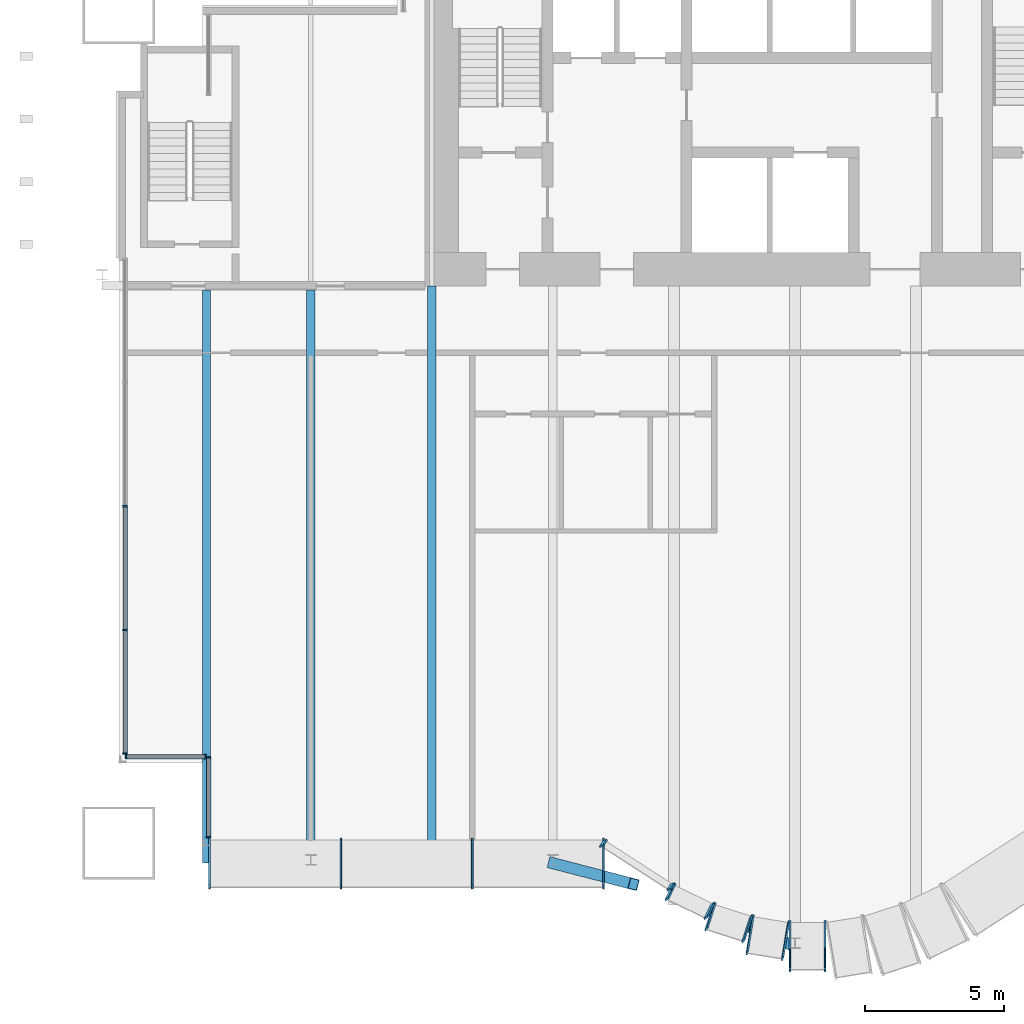
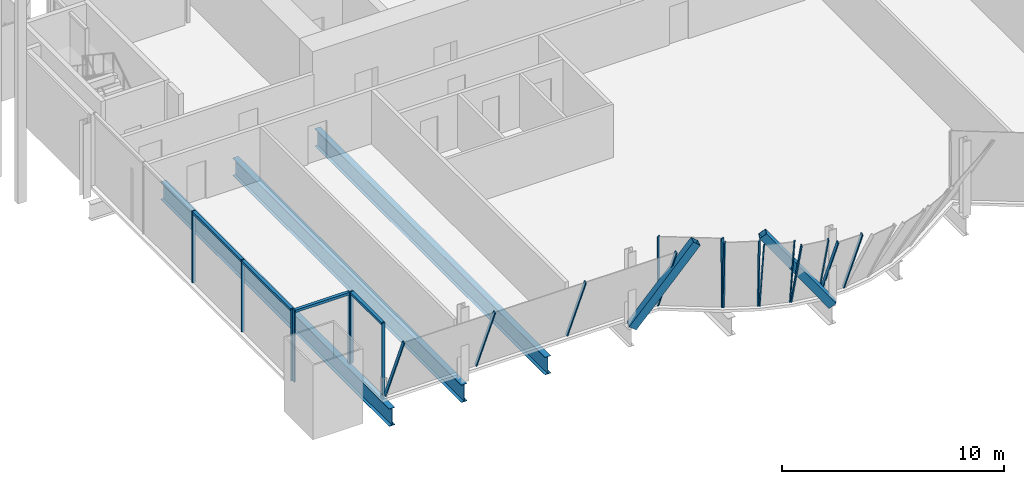
# One storey, part 5 of 33: 27 members, 3 beams, 9 elements without a shape of their own.
"""IFC4 building model written with IfcOpenShell, lengths in metres."""

import ifcopenshell
import ifcopenshell.guid

model = None  # the IFC model being written
_history = None  # IfcOwnerHistory: only IFC2X3 demands one
_inside = {}  # id of a spatial element -> (the spatial element, [elements in it])
_under = {}  # id of a project, library or spatial element -> (it, [spatial elements below it])
_declared = {}  # id of a project -> (the project, [libraries it declares])
_typed = {}  # id of a type object -> (the type object, [elements of that type])
_made_of = {}  # id of a material, layer set ... -> (it, [elements and type objects made of it])


def new_model(schema):
    """Start an empty IFC model of exactly this schema.

    Asked for "IFC4X3", IfcOpenShell would pick the latest addendum, in which some entities
    have other attributes; the version numbers below select the first issue.
    IFC2X3 requires an IfcOwnerHistory on every rooted entity: one is made here for all.
    """
    global model, _history
    if schema == "IFC4X3":
        model = ifcopenshell.file(schema_version=(4, 3, 0, 0))
    else:
        model = ifcopenshell.file(schema=schema)
    _inside.clear()
    _under.clear()
    _declared.clear()
    _typed.clear()
    _made_of.clear()
    _history = None
    if model.schema == "IFC2X3":
        org = make("IfcOrganization", Name="unknown")
        user = make(
            "IfcPersonAndOrganization",
            ThePerson=make("IfcPerson", FamilyName="unknown"),
            TheOrganization=org,
        )
        app = make(
            "IfcApplication",
            ApplicationDeveloper=org,
            Version="unknown",
            ApplicationFullName="unknown",
            ApplicationIdentifier="unknown",
        )
        _history = make(
            "IfcOwnerHistory",
            OwningUser=user,
            OwningApplication=app,
            ChangeAction="ADDED",
            CreationDate=0,
        )
    return model


def make(cls, **values):
    """One entity of the class cls with the attributes given. An attribute that is None is left unset."""
    return model.create_entity(
        cls, **{name: value for name, value in values.items() if value is not None}
    )


def rooted(cls, **values):
    """An entity with a GlobalId (a new one), such as an element, a storey or a relation."""
    return make(cls, GlobalId=ifcopenshell.guid.new(), OwnerHistory=_history, **values)


def si_unit(unit_type, name, prefix=None):
    """IfcSIUnit, for example si_unit("LENGTHUNIT", "METRE", prefix="MILLI")."""
    return make("IfcSIUnit", UnitType=unit_type, Prefix=prefix, Name=name)


def assignment(units):
    """IfcUnitAssignment: the units of a project."""
    return None if units is None else make("IfcUnitAssignment", Units=units)


def point(xyz):
    """IfcCartesianPoint."""
    return None if xyz is None else make("IfcCartesianPoint", Coordinates=xyz)


def direction(xyz):
    """IfcDirection."""
    return None if xyz is None else make("IfcDirection", DirectionRatios=xyz)


def frame(location, z_axis=None, x_axis=None):
    """IfcAxis2Placement3D, a coordinate frame: its origin and axes. An axis left out is left unset."""
    return make(
        "IfcAxis2Placement3D",
        Location=point(location),
        Axis=direction(z_axis),
        RefDirection=direction(x_axis),
    )


def frame_2d(location, x_axis=None):
    """IfcAxis2Placement2D, a coordinate frame in the plane: its origin and x axis."""
    return make(
        "IfcAxis2Placement2D", Location=point(location), RefDirection=direction(x_axis)
    )


def origin():
    """The frame at (0, 0, 0) with its axes left unset."""
    return frame((0.0, 0.0, 0.0))


def origin_2d():
    """The frame at (0, 0) in the plane with its x axis left unset."""
    return frame_2d((0.0, 0.0))


def place(relative_to, where):
    """IfcLocalPlacement: puts the frame where relative to a parent placement (None: the world)."""
    return make(
        "IfcLocalPlacement", PlacementRelTo=relative_to, RelativePlacement=where
    )


def context(
    kind, dimensions, precision=None, world=None, true_north=None, identifier=None
):
    """IfcGeometricRepresentationContext, for example the 3D "Model" context."""
    return make(
        "IfcGeometricRepresentationContext",
        ContextIdentifier=identifier,
        ContextType=kind,
        CoordinateSpaceDimension=dimensions,
        Precision=precision,
        WorldCoordinateSystem=world,
        TrueNorth=true_north,
    )


def subcontext(parent, identifier, kind, view, scale=None):
    """IfcGeometricRepresentationSubContext, for example "Body" below "Model"."""
    return make(
        "IfcGeometricRepresentationSubContext",
        ContextIdentifier=identifier,
        ContextType=kind,
        ParentContext=parent,
        TargetScale=scale,
        TargetView=view,
    )


def project(units=None, contexts=None):
    """IfcProject with its units and contexts."""
    return rooted(
        "IfcProject",
        Name="project",
        RepresentationContexts=contexts,
        UnitsInContext=assignment(units),
    )


def spatial(cls, under=None, at=None, **own):
    """A site, building, storey or space (cls), placed at a placement, below another one or the project."""
    s = rooted(cls, ObjectPlacement=at, **own)
    if under is not None:
        _under.setdefault(under.id(), (under, []))[1].append(s)
    return s


def profile(cls, at=None, kind="AREA", **sizes):
    """A parametric profile (cls). Its sizes go by their IFC names, for example OverallWidth=200.0."""
    return make(cls, ProfileType=kind, Position=at, **sizes)


def rectangle(**sizes):
    """IfcRectangleProfileDef."""
    return profile("IfcRectangleProfileDef", **sizes)


def hollow_rectangle(**sizes):
    """IfcRectangleHollowProfileDef."""
    return profile("IfcRectangleHollowProfileDef", **sizes)


def i_section(**sizes):
    """IfcIShapeProfileDef."""
    return profile("IfcIShapeProfileDef", **sizes)


def extrude(swept, where, along, depth):
    """IfcExtrudedAreaSolid: the profile swept, set in the frame where, extruded along a direction by depth."""
    return make(
        "IfcExtrudedAreaSolid",
        SweptArea=swept,
        Position=where,
        ExtrudedDirection=direction(along),
        Depth=depth,
    )


def shape(context_of_items, identifier, shape_type, items):
    """IfcShapeRepresentation: the items that make up one representation, for example the "Body"."""
    return make(
        "IfcShapeRepresentation",
        ContextOfItems=context_of_items,
        RepresentationIdentifier=identifier,
        RepresentationType=shape_type,
        Items=items,
    )


def material(Name=None, Category=None):
    """IfcMaterial."""
    return make("IfcMaterial", Name=Name, Category=Category)


def material_profile(
    of_material, cross_section, Name=None, Category=None, Priority=None
):
    """IfcMaterialProfile: a cross section and its material."""
    return make(
        "IfcMaterialProfile",
        Name=Name,
        Material=of_material,
        Profile=cross_section,
        Priority=Priority,
        Category=Category,
    )


def profile_set(profiles, Name=None, composite=None):
    """IfcMaterialProfileSet."""
    return make(
        "IfcMaterialProfileSet",
        Name=Name,
        MaterialProfiles=profiles,
        CompositeProfile=composite,
    )


def made_of(thing, what):
    """Note that an element or type object is made of a material, layer set ...; save() writes the relation."""
    if what is not None:
        _made_of.setdefault(what.id(), (what, []))[1].append(thing)
    return thing


def type_object(cls, material=None, **own):
    """A type object (cls), such as IfcWallType, which elements share."""
    return made_of(rooted(cls, **own), material)


def element(
    cls,
    number,
    at=None,
    inside=None,
    cuts=None,
    type_object=None,
    material=None,
    context=None,
    identifier="Body",
    shape_type=None,
    held_by="IfcProductDefinitionShape",
    body=None,
    shapes=None,
    **own,
):
    """One element of the class cls, such as IfcWall. Its Tag is "e" and its number.

    at: its placement. inside: the storey or other place that contains it. cuts: it is an
    opening in that element (IfcRelVoidsElement). A single representation is given by context,
    identifier, shape_type and body (its items); several are given by shapes. held_by: the class
    of the entity that holds the representations. save() writes the other relations.
    """
    e = rooted(cls, Tag="e%d" % number, ObjectPlacement=at, **own)
    if body is not None:
        shapes = [shape(context, identifier, shape_type, body)]
    if shapes is not None:
        e.Representation = make(held_by, Representations=shapes)
    if inside is not None:
        _inside.setdefault(inside.id(), (inside, []))[1].append(e)
    if cuts is not None:
        rooted(
            "IfcRelVoidsElement", RelatingBuildingElement=cuts, RelatedOpeningElement=e
        )
    if type_object is not None:
        _typed.setdefault(type_object.id(), (type_object, []))[1].append(e)
    return made_of(e, material)


def aggregate(whole, parts):
    """IfcRelAggregates: a whole, such as a stair, and the parts it consists of."""
    return rooted("IfcRelAggregates", RelatingObject=whole, RelatedObjects=parts)


def save(model, path):
    """Write the relations noted so far, then the file.

    IfcRelAggregates (storeys below a building ...), IfcRelContainedInSpatialStructure (elements
    in a storey), IfcRelDefinesByType, IfcRelAssociatesMaterial and IfcRelDeclares: one each for
    every whole, place, type object, material and project.
    """
    for whole, parts in _under.values():
        aggregate(whole, parts)
    for where, things in _inside.values():
        rooted(
            "IfcRelContainedInSpatialStructure",
            RelatedElements=things,
            RelatingStructure=where,
        )
    for kind, things in _typed.values():
        rooted("IfcRelDefinesByType", RelatedObjects=things, RelatingType=kind)
    for what, things in _made_of.values():
        rooted("IfcRelAssociatesMaterial", RelatedObjects=things, RelatingMaterial=what)
    for by, libraries in _declared.values():
        rooted("IfcRelDeclares", RelatingContext=by, RelatedDefinitions=libraries)
    model.write(path)


model = new_model("IFC4")

# Units and contexts
model_context = context("Model", 3, precision=1e-05, world=origin(), true_north=direction((0.0, 1.0)))
body_context = subcontext(model_context, "Body", "Model", "MODEL_VIEW")
ifc_project = project(units=[si_unit("LENGTHUNIT", "METRE"), si_unit("AREAUNIT", "SQUARE_METRE"), si_unit("VOLUMEUNIT", "CUBIC_METRE"), si_unit("PLANEANGLEUNIT", "RADIAN"), si_unit("MASSUNIT", "GRAM", prefix="KILO")], contexts=[model_context])

# Site, building, storey
site_placement = place(None, origin())
site = spatial("IfcSite", under=ifc_project, at=site_placement, CompositionType="ELEMENT")
building_placement = place(site_placement, origin())
building = spatial("IfcBuilding", under=site, at=building_placement, Name="Bicima Exchange Tower", CompositionType="ELEMENT")
storey_placement = place(building_placement, frame((0.0, 0.0, 140.39990234375)))
storey = spatial("IfcBuildingStorey", under=building, at=storey_placement, Name="L30", CompositionType="ELEMENT", Elevation=140.39990234375)

# Curtain wall, members
ifc_material_1 = material(Name="Anodised bronze aluminium", Category="aluminium")
curtain_wall_type_1 = type_object("IfcCurtainWallType", Name="End face glass wall", PredefinedType="NOTDEFINED", material=ifc_material_1)
curtain_wall_1_placement = place(storey_placement, origin())
curtain_wall_1 = element("IfcCurtainWall", 1, at=curtain_wall_1_placement, inside=storey, type_object=curtain_wall_type_1, Name="End face glass wall L30 run 6", PredefinedType="NOTDEFINED")
ifc_material_profile_1 = material_profile(ifc_material_1, rectangle(XDim=0.159912109375, YDim=0.06005859375, at=origin_2d()))
ifc_profile_set_1 = profile_set([ifc_material_profile_1], Name="Anodised bronze aluminium")
member_type_1 = type_object("IfcMemberType", Name="End face glass wall mullion 60 x 160", PredefinedType="MULLION", material=ifc_profile_set_1)
member_1_placement = place(storey_placement, frame((-32.77001953125, -20.9169921875, 0.0), z_axis=(0.0, 0.0, 1.0), x_axis=(1.0, 0.0, 0.0)))
member_1 = element("IfcMember", 2, at=member_1_placement, type_object=member_type_1, Name="End face glass wall mullion 3", PredefinedType="MULLION", context=body_context, shape_type="SweptSolid", body=[
    extrude(rectangle(XDim=0.159912109375, YDim=0.06005859375, at=origin_2d()), origin(), (0.0, 0.0, 1.0), 3.9501953125),
])
member_2_placement = place(storey_placement, frame((-32.77001953125, -25.360595703125, 0.0), z_axis=(0.0, 0.0, 1.0), x_axis=(1.0, 0.0, 0.0)))
member_2 = element("IfcMember", 3, at=member_2_placement, type_object=member_type_1, Name="End face glass wall mullion 4", PredefinedType="MULLION", context=body_context, shape_type="SweptSolid", body=[
    extrude(rectangle(XDim=0.159912109375, YDim=0.06005859375, at=origin_2d()), origin(), (0.0, 0.0, 1.0), 3.9501953125),
])
member_3_placement = place(storey_placement, frame((-32.77001953125, -29.803955078125, 0.0), z_axis=(0.0, 0.0, 1.0), x_axis=(1.0, 0.0, 0.0)))
member_3 = element("IfcMember", 4, at=member_3_placement, type_object=member_type_1, Name="End face glass wall mullion 5", PredefinedType="MULLION", context=body_context, shape_type="SweptSolid", body=[
    extrude(rectangle(XDim=0.159912109375, YDim=0.06005859375, at=origin_2d()), origin(), (0.0, 0.0, 1.0), 3.9501953125),
])
ifc_material_profile_2 = material_profile(ifc_material_1, rectangle(XDim=0.159912109375, YDim=0.139892578125, at=origin_2d()))
ifc_profile_set_2 = profile_set([ifc_material_profile_2], Name="Anodised bronze aluminium")
member_type_2 = type_object("IfcMemberType", Name="End face glass wall transom 140 x 160", PredefinedType="USERDEFINED", material=ifc_profile_set_2)
member_4_placement = place(storey_placement, frame((-32.77001953125, -20.947021484375, 3.880126953125), z_axis=(0.0, -1.0, 0.0), x_axis=(1.0, 0.0, 0.0)))
member_4 = element("IfcMember", 5, at=member_4_placement, type_object=member_type_2, Name="End face glass wall transom 3.1", ObjectType="TRANSOM", PredefinedType="USERDEFINED", context=body_context, shape_type="SweptSolid", body=[
    extrude(rectangle(XDim=0.159912109375, YDim=0.139892578125, at=origin_2d()), origin(), (0.0, 0.0, 1.0), 4.383544921875),
])
member_5_placement = place(storey_placement, frame((-32.77001953125, -25.390380859375, 3.880126953125), z_axis=(0.0, -1.0, 0.0), x_axis=(1.0, 0.0, 0.0)))
member_5 = element("IfcMember", 6, at=member_5_placement, type_object=member_type_2, Name="End face glass wall transom 4.1", ObjectType="TRANSOM", PredefinedType="USERDEFINED", context=body_context, shape_type="SweptSolid", body=[
    extrude(rectangle(XDim=0.159912109375, YDim=0.139892578125, at=origin_2d()), origin(), (0.0, 0.0, 1.0), 4.383544921875),
])
aggregate(curtain_wall_1, [member_1, member_2, member_3, member_4, member_5])

# Beams
ifc_material_2 = material(Name="Steel ASTM A992 Gr 50", Category="steel")
ifc_material_profile_3 = material_profile(ifc_material_2, i_section(OverallWidth=0.2998046875, OverallDepth=0.97021484375, WebThickness=0.01611328125, FlangeThickness=0.02099609375, at=origin_2d()))
ifc_profile_set_3 = profile_set([ifc_material_profile_3], Name="Steel ASTM A992 Gr 50")
beam_type = type_object("IfcBeamType", Name="Floor beam W40x149", PredefinedType="JOIST", material=ifc_profile_set_3)
for number, where, z_axis, x_axis, name in (
    (7, (-29.85009765625, -13.15234375, -0.635009765625), (0.0, -1.0, 0.0), (1.0, 0.0, 0.0), "Floor beam"),
    (8, (-26.10009765625, -13.15234375, -0.635009765625), (0.0, -1.0, 0.0), (1.0, 0.0, 0.0), "Floor beam"),
):
    element("IfcBeam", number, at=place(storey_placement, frame(where, z_axis=z_axis, x_axis=x_axis)), inside=storey, type_object=beam_type, Name=name, PredefinedType="JOIST", context=body_context, shape_type="SweptSolid", body=[
        extrude(i_section(OverallWidth=0.2998046875, OverallDepth=0.97021484375, WebThickness=0.01611328125, FlangeThickness=0.02099609375, at=origin_2d()), origin(), (0.0, 0.0, 1.0), 20.591552734375),
    ])
beam_placement = place(storey_placement, frame((-21.75, -13.0, -0.635009765625), z_axis=(0.0, -1.0, 0.0), x_axis=(1.0, 0.0, 0.0)))
element("IfcBeam", 9, at=beam_placement, inside=storey, type_object=beam_type, Name="Floor beam", PredefinedType="JOIST", context=body_context, shape_type="SweptSolid", body=[
    extrude(i_section(OverallWidth=0.2998046875, OverallDepth=0.97021484375, WebThickness=0.01611328125, FlangeThickness=0.02099609375, at=origin_2d()), origin(), (0.0, 0.0, 1.0), 20.743896484375),
])

# Curtain wall, members
curtain_wall_type_2 = type_object("IfcCurtainWallType", Name="Front glass wall", PredefinedType="NOTDEFINED", material=ifc_material_1)
curtain_wall_2_placement = place(storey_placement, origin())
curtain_wall_2 = element("IfcCurtainWall", 10, at=curtain_wall_2_placement, inside=storey, type_object=curtain_wall_type_2, Name="Front glass wall L30 run 7", PredefinedType="NOTDEFINED")
member_type_3 = type_object("IfcMemberType", Name="Front glass wall mullion 60 x 160", PredefinedType="MULLION", material=ifc_profile_set_1)
member_6_placement = place(storey_placement, frame((-32.739990234375, -29.9140625, 0.0), z_axis=(0.0, 0.0, 1.0), x_axis=(0.0, 1.0, 0.0)))
member_6 = element("IfcMember", 11, at=member_6_placement, type_object=member_type_3, Name="Front glass wall mullion 1", PredefinedType="MULLION", context=body_context, shape_type="SweptSolid", body=[
    extrude(rectangle(XDim=0.159912109375, YDim=0.06005859375, at=origin_2d()), origin(), (0.0, 0.0, 1.0), 3.9501953125),
])
member_7_placement = place(storey_placement, frame((-29.8798828125, -29.9140625, 0.0), z_axis=(0.0, 0.0, 1.0), x_axis=(0.0, 1.0, 0.0)))
member_7 = element("IfcMember", 12, at=member_7_placement, type_object=member_type_3, Name="Front glass wall mullion 2", PredefinedType="MULLION", context=body_context, shape_type="SweptSolid", body=[
    extrude(rectangle(XDim=0.159912109375, YDim=0.06005859375, at=origin_2d()), origin(), (0.0, 0.0, 1.0), 3.9501953125),
])

curtain_wall_3_placement = place(storey_placement, origin())
curtain_wall_3 = element("IfcCurtainWall", 13, at=curtain_wall_3_placement, inside=storey, type_object=curtain_wall_type_2, Name="Front glass wall L30 run 8", PredefinedType="NOTDEFINED")
member_8_placement = place(storey_placement, frame((-29.77001953125, -29.944091796875, 0.0), z_axis=(0.0, 0.0, 1.0), x_axis=(1.0, 0.0, 0.0)))
member_8 = element("IfcMember", 14, at=member_8_placement, type_object=member_type_3, Name="Front glass wall mullion 1", PredefinedType="MULLION", context=body_context, shape_type="SweptSolid", body=[
    extrude(rectangle(XDim=0.159912109375, YDim=0.06005859375, at=origin_2d()), origin(), (0.0, 0.0, 1.0), 3.9501953125),
])
member_9_placement = place(storey_placement, frame((-29.77001953125, -32.803955078125, 0.0), z_axis=(0.0, 0.0, 1.0), x_axis=(1.0, 0.0, 0.0)))
member_9 = element("IfcMember", 15, at=member_9_placement, type_object=member_type_3, Name="Front glass wall mullion 2", PredefinedType="MULLION", context=body_context, shape_type="SweptSolid", body=[
    extrude(rectangle(XDim=0.159912109375, YDim=0.06005859375, at=origin_2d()), origin(), (0.0, 0.0, 1.0), 3.9501953125),
])

curtain_wall_4_placement = place(storey_placement, origin())
curtain_wall_4 = element("IfcCurtainWall", 16, at=curtain_wall_4_placement, inside=storey, type_object=curtain_wall_type_2, Name="Canted glass wall L30 35.1", PredefinedType="NOTDEFINED")
member_10_placement = place(storey_placement, frame((-29.739990234375, -32.9140625, 0.0), z_axis=(0.0, -0.392560507207, 0.91972618109), x_axis=(0.0, 0.91972618109, 0.392560507207)))
member_10 = element("IfcMember", 17, at=member_10_placement, type_object=member_type_3, Name="Canted glass mullion 1", PredefinedType="MULLION", context=body_context, shape_type="SweptSolid", body=[
    extrude(rectangle(XDim=0.159912109375, YDim=0.06005859375, at=origin_2d()), origin(), (0.0, 0.0, 1.0), 4.294921875),
])
member_11_placement = place(storey_placement, frame((-25.01904296875, -32.9140625, 0.0), z_axis=(0.0, -0.392560507207, 0.91972618109), x_axis=(0.0, 0.91972618109, 0.392560507207)))
member_11 = element("IfcMember", 18, at=member_11_placement, type_object=member_type_3, Name="Canted glass mullion 2", PredefinedType="MULLION", context=body_context, shape_type="SweptSolid", body=[
    extrude(rectangle(XDim=0.159912109375, YDim=0.06005859375, at=origin_2d()), origin(), (0.0, 0.0, 1.0), 4.294921875),
])
member_12_placement = place(storey_placement, frame((-20.2978515625, -32.9140625, 0.0), z_axis=(0.0, -0.392560507207, 0.91972618109), x_axis=(0.0, 0.91972618109, 0.392560507207)))
member_12 = element("IfcMember", 19, at=member_12_placement, type_object=member_type_3, Name="Canted glass mullion 3", PredefinedType="MULLION", context=body_context, shape_type="SweptSolid", body=[
    extrude(rectangle(XDim=0.159912109375, YDim=0.06005859375, at=origin_2d()), origin(), (0.0, 0.0, 1.0), 4.294921875),
])
member_13_placement = place(storey_placement, frame((-15.576904296875, -32.9140625, 0.0), z_axis=(0.0, -0.392560507207, 0.91972618109), x_axis=(0.0, 0.91972618109, 0.392560507207)))
member_13 = element("IfcMember", 20, at=member_13_placement, type_object=member_type_3, Name="Canted glass mullion 4", PredefinedType="MULLION", context=body_context, shape_type="SweptSolid", body=[
    extrude(rectangle(XDim=0.159912109375, YDim=0.06005859375, at=origin_2d()), origin(), (0.0, 0.0, 1.0), 4.294921875),
])
aggregate(curtain_wall_4, [member_10, member_11, member_12, member_13])

curtain_wall_5_placement = place(storey_placement, origin())
curtain_wall_5 = element("IfcCurtainWall", 21, at=curtain_wall_5_placement, inside=storey, type_object=curtain_wall_type_2, Name="Canted glass wall L30 36.1", PredefinedType="NOTDEFINED")
member_14_placement = place(storey_placement, frame((-15.521728515625, -32.930419921875, 0.0), z_axis=(-0.032820058759, -0.050710692293, 0.998173967518), x_axis=(0.911231260738, 0.40875944388, 0.050727768454)))
member_14 = element("IfcMember", 22, at=member_14_placement, type_object=member_type_3, Name="Canted glass mullion 1", PredefinedType="MULLION", context=body_context, shape_type="SweptSolid", body=[
    extrude(rectangle(XDim=0.159912109375, YDim=0.06005859375, at=origin_2d()), origin(), (0.0, 0.0, 1.0), 3.95751953125),
])
member_15_placement = place(storey_placement, frame((-13.1044921875, -34.492919921875, 0.0), z_axis=(-0.032820058759, -0.050710692293, 0.998173967518), x_axis=(0.911231260738, 0.40875944388, 0.050727768454)))
member_15 = element("IfcMember", 23, at=member_15_placement, type_object=member_type_3, Name="Canted glass mullion 2", PredefinedType="MULLION", context=body_context, shape_type="SweptSolid", body=[
    extrude(rectangle(XDim=0.159912109375, YDim=0.06005859375, at=origin_2d()), origin(), (0.0, 0.0, 1.0), 3.95751953125),
])
aggregate(curtain_wall_5, [member_14, member_15])

curtain_wall_6_placement = place(storey_placement, origin())
curtain_wall_6 = element("IfcCurtainWall", 24, at=curtain_wall_6_placement, inside=storey, type_object=curtain_wall_type_2, Name="Canted glass wall L30 37.1", PredefinedType="NOTDEFINED")
member_16_placement = place(storey_placement, frame((-13.052490234375, -34.522216796875, 0.0), z_axis=(-0.062452607082, -0.128819971122, 0.989699493235), x_axis=(0.781051508244, 0.611035322991, 0.128819158228)))
member_16 = element("IfcMember", 25, at=member_16_placement, type_object=member_type_3, Name="Canted glass mullion 1", PredefinedType="MULLION", context=body_context, shape_type="SweptSolid", body=[
    extrude(rectangle(XDim=0.159912109375, YDim=0.06005859375, at=origin_2d()), origin(), (0.0, 0.0, 1.0), 3.9912109375),
])
member_17_placement = place(storey_placement, frame((-11.6533203125, -35.20068359375, 0.0), z_axis=(-0.062452607082, -0.128819971122, 0.989699493235), x_axis=(0.781051508244, 0.611035322991, 0.128819158228)))
member_17 = element("IfcMember", 26, at=member_17_placement, type_object=member_type_3, Name="Canted glass mullion 2", PredefinedType="MULLION", context=body_context, shape_type="SweptSolid", body=[
    extrude(rectangle(XDim=0.159912109375, YDim=0.06005859375, at=origin_2d()), origin(), (0.0, 0.0, 1.0), 3.9912109375),
])
aggregate(curtain_wall_6, [member_16, member_17])

curtain_wall_7_placement = place(storey_placement, origin())
curtain_wall_7 = element("IfcCurtainWall", 27, at=curtain_wall_7_placement, inside=storey, type_object=curtain_wall_type_2, Name="Canted glass wall L30 38.1", PredefinedType="NOTDEFINED")
member_18_placement = place(storey_placement, frame((-11.59765625, -35.222900390625, 0.0), z_axis=(-0.071018549868, -0.219730551413, 0.972972173472), x_axis=(0.577402534066, 0.786337207926, 0.219727351699)))
member_18 = element("IfcMember", 28, at=member_18_placement, type_object=member_type_3, Name="Canted glass mullion 1", PredefinedType="MULLION", context=body_context, shape_type="SweptSolid", body=[
    extrude(rectangle(XDim=0.159912109375, YDim=0.06005859375, at=origin_2d()), origin(), (0.0, 0.0, 1.0), 4.059814453125),
])
member_19_placement = place(storey_placement, frame((-10.269775390625, -35.652099609375, 0.0), z_axis=(-0.071018549868, -0.219730551413, 0.972972173472), x_axis=(0.577402534066, 0.786337207926, 0.219727351699)))
member_19 = element("IfcMember", 29, at=member_19_placement, type_object=member_type_3, Name="Canted glass mullion 2", PredefinedType="MULLION", context=body_context, shape_type="SweptSolid", body=[
    extrude(rectangle(XDim=0.159912109375, YDim=0.06005859375, at=origin_2d()), origin(), (0.0, 0.0, 1.0), 4.059814453125),
])
aggregate(curtain_wall_7, [member_18, member_19])

curtain_wall_8_placement = place(storey_placement, origin())
curtain_wall_8 = element("IfcCurtainWall", 30, at=curtain_wall_8_placement, inside=storey, type_object=curtain_wall_type_2, Name="Canted glass wall L30 39.1", PredefinedType="NOTDEFINED")
member_20_placement = place(storey_placement, frame((-10.211669921875, -35.666259765625, 0.0), z_axis=(-0.050535241989, -0.312532917682, 0.948561734777), x_axis=(0.306995075409, 0.89893019655, 0.312535638616)))
member_20 = element("IfcMember", 31, at=member_20_placement, type_object=member_type_3, Name="Canted glass mullion 1", PredefinedType="MULLION", context=body_context, shape_type="SweptSolid", body=[
    extrude(rectangle(XDim=0.159912109375, YDim=0.06005859375, at=origin_2d()), origin(), (0.0, 0.0, 1.0), 4.164306640625),
])
member_21_placement = place(storey_placement, frame((-8.93701171875, -35.872314453125, 0.0), z_axis=(-0.050535241989, -0.312532917682, 0.948561734777), x_axis=(0.306995075409, 0.89893019655, 0.312535638616)))
member_21 = element("IfcMember", 32, at=member_21_placement, type_object=member_type_3, Name="Canted glass mullion 2", PredefinedType="MULLION", context=body_context, shape_type="SweptSolid", body=[
    extrude(rectangle(XDim=0.159912109375, YDim=0.06005859375, at=origin_2d()), origin(), (0.0, 0.0, 1.0), 4.164306640625),
])
aggregate(curtain_wall_8, [member_20, member_21])

curtain_wall_9_placement = place(storey_placement, origin())
curtain_wall_9 = element("IfcCurtainWall", 33, at=curtain_wall_9_placement, inside=storey, type_object=curtain_wall_type_2, Name="Canted glass wall L30 40.1", PredefinedType="NOTDEFINED")
member_22_placement = place(storey_placement, frame((-8.87744140625, -35.876953125, 0.0), z_axis=(0.0, -0.392560507207, 0.91972618109), x_axis=(0.0, 0.91972618109, 0.392560507207)))
member_22 = element("IfcMember", 34, at=member_22_placement, type_object=member_type_3, Name="Canted glass mullion 1", PredefinedType="MULLION", context=body_context, shape_type="SweptSolid", body=[
    extrude(rectangle(XDim=0.159912109375, YDim=0.06005859375, at=origin_2d()), origin(), (0.0, 0.0, 1.0), 4.294921875),
])
member_23_placement = place(storey_placement, frame((-7.62255859375, -35.876953125, 0.0), z_axis=(0.0, -0.392560507207, 0.91972618109), x_axis=(0.0, 0.91972618109, 0.392560507207)))
member_23 = element("IfcMember", 35, at=member_23_placement, type_object=member_type_3, Name="Canted glass mullion 2", PredefinedType="MULLION", context=body_context, shape_type="SweptSolid", body=[
    extrude(rectangle(XDim=0.159912109375, YDim=0.06005859375, at=origin_2d()), origin(), (0.0, 0.0, 1.0), 4.294921875),
])
aggregate(curtain_wall_9, [member_22, member_23])

# Member
member_type_4 = type_object("IfcMemberType", Name="Front glass wall transom 140 x 160", PredefinedType="USERDEFINED", material=ifc_profile_set_2)
member_24_placement = place(storey_placement, frame((-32.7099609375, -29.9140625, 3.880126953125), z_axis=(1.0, 0.0, 0.0), x_axis=(0.0, 1.0, 0.0)))
member_24 = element("IfcMember", 36, at=member_24_placement, type_object=member_type_4, Name="Front glass wall transom 1.1", ObjectType="TRANSOM", PredefinedType="USERDEFINED", context=body_context, shape_type="SweptSolid", body=[
    extrude(rectangle(XDim=0.159912109375, YDim=0.139892578125, at=origin_2d()), origin(), (0.0, 0.0, 1.0), 2.800048828125),
])

aggregate(curtain_wall_2, [member_6, member_7, member_24])

member_25_placement = place(storey_placement, frame((-29.77001953125, -29.97412109375, 3.880126953125), z_axis=(0.0, -1.0, 0.0), x_axis=(1.0, 0.0, 0.0)))
member_25 = element("IfcMember", 37, at=member_25_placement, type_object=member_type_4, Name="Front glass wall transom 1.1", ObjectType="TRANSOM", PredefinedType="USERDEFINED", context=body_context, shape_type="SweptSolid", body=[
    extrude(rectangle(XDim=0.159912109375, YDim=0.139892578125, at=origin_2d()), origin(), (0.0, 0.0, 1.0), 2.7998046875),
])

aggregate(curtain_wall_3, [member_8, member_9, member_25])

# Members
ifc_material_3 = material(Name="Steel ASTM A572 Gr 50", Category="steel")
ifc_material_profile_4 = material_profile(ifc_material_3, hollow_rectangle(XDim=0.406494140625, YDim=0.406494140625, WallThickness=0.017822265625, at=origin_2d()))
ifc_profile_set_4 = profile_set([ifc_material_profile_4], Name="Steel ASTM A572 Gr 50")
member_type_5 = type_object("IfcMemberType", Name="Mega brace HSS16x16x3/4", PredefinedType="BRACE", material=ifc_profile_set_4)
member_26_placement = place(storey_placement, frame((-17.39990234375, -33.743896484375, 0.0), z_axis=(0.571056012695, -0.148316871457, 0.807401471392), x_axis=(0.251383493766, 0.9678875653, 0.0)))
element("IfcMember", 38, at=member_26_placement, inside=storey, type_object=member_type_5, Name="Mega brace front", PredefinedType="BRACE", context=body_context, shape_type="SweptSolid", body=[
    extrude(hollow_rectangle(XDim=0.406494140625, YDim=0.406494140625, WallThickness=0.017822265625, at=origin_2d()), origin(), (0.0, 0.0, 1.0), 5.078125),
])
member_27_placement = place(storey_placement, frame((-8.699951171875, -36.735107421875, 0.0), z_axis=(-0.560607084875, 0.239929827385, 0.792561274804), x_axis=(-0.393461568723, -0.919341065078, 0.0)))
element("IfcMember", 39, at=member_27_placement, inside=storey, type_object=member_type_5, Name="Mega brace front", PredefinedType="BRACE", context=body_context, shape_type="SweptSolid", body=[
    extrude(hollow_rectangle(XDim=0.406494140625, YDim=0.406494140625, WallThickness=0.017822265625, at=origin_2d()), origin(), (0.0, 0.0, 1.0), 5.17333984375),
])

save(model, "model.ifc")
